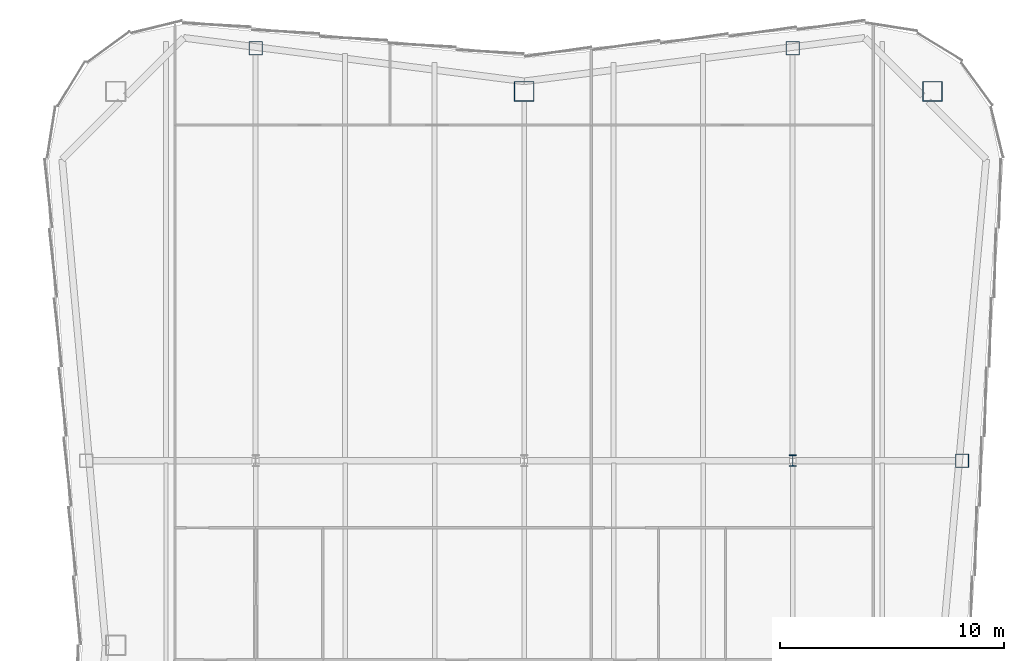
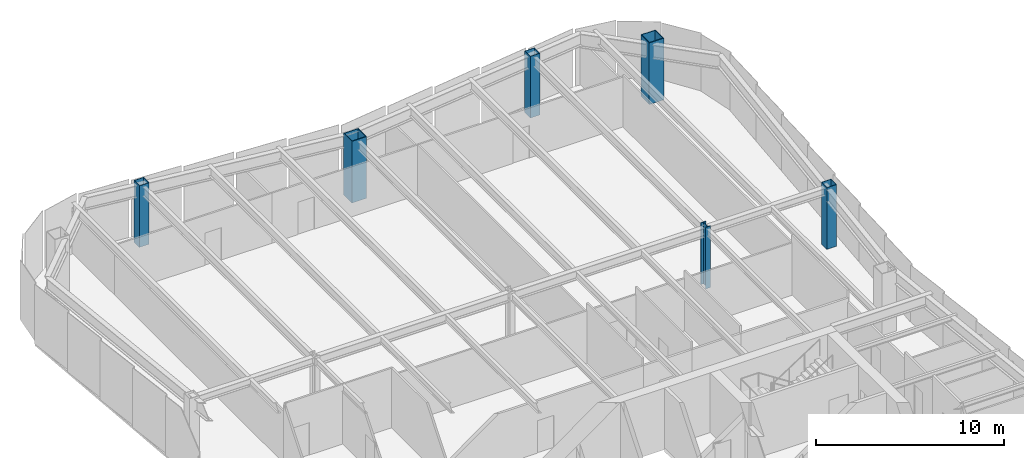
# One storey, part 2 of 10: 6 columns.
"""IFC4 building model written with IfcOpenShell, lengths in metres."""

from ifc_helpers import new_model, si_unit, direction, frame, origin, origin_2d, place, context, subcontext, project, spatial, hollow_rectangle, i_section, extrude, material, material_profile, profile_set, type_object, element, save


model = new_model("IFC4")

# Units and contexts
model_context = context("Model", 3, precision=1e-05, world=origin(), true_north=direction((0.0, 1.0)))
body_context = subcontext(model_context, "Body", "Model", "MODEL_VIEW")
ifc_project = project(units=[si_unit("LENGTHUNIT", "METRE"), si_unit("AREAUNIT", "SQUARE_METRE"), si_unit("VOLUMEUNIT", "CUBIC_METRE"), si_unit("PLANEANGLEUNIT", "RADIAN"), si_unit("MASSUNIT", "GRAM", prefix="KILO")], contexts=[model_context])

# Site, building, storey
site_placement = place(None, origin())
site = spatial("IfcSite", under=ifc_project, at=site_placement, CompositionType="ELEMENT")
building_placement = place(site_placement, origin())
building = spatial("IfcBuilding", under=site, at=building_placement, Name="Verdant Reach Tower", CompositionType="ELEMENT")
storey_placement = place(building_placement, frame((0.0, 0.0, 302.0)))
storey = spatial("IfcBuildingStorey", under=building, at=storey_placement, Name="L69", CompositionType="ELEMENT", Elevation=302.0)

# Columns
ifc_material = material(Name="Steel S460", Category="steel")
ifc_material_profile_1 = material_profile(ifc_material, i_section(OverallWidth=0.305908203125, OverallDepth=0.52392578125, WebThickness=0.012451171875, FlangeThickness=0.0400390625, FilletRadius=0.027099609375, at=origin_2d()), Name="HEM 500")
ifc_profile_set_1 = profile_set([ifc_material_profile_1], Name="Steel S460")
column_type_1 = type_object("IfcColumnType", Name="ST-COL-HEM500", PredefinedType="COLUMN", material=ifc_profile_set_1)
column_placement = place(storey_placement, frame((12.0, 49.5, 0.0), z_axis=(0.0, 0.0, 1.0), x_axis=(1.0, 0.0, 0.0)))
element("IfcColumn", 1, at=column_placement, inside=storey, type_object=column_type_1, Name="Interior column 3, L69", PredefinedType="COLUMN", context=body_context, shape_type="SweptSolid", body=[
    extrude(i_section(OverallWidth=0.305908203125, OverallDepth=0.52392578125, WebThickness=0.012451171875, FlangeThickness=0.0400390625, FilletRadius=0.027099609375, at=origin_2d()), origin(), (0.0, 0.0, 1.0), 4.0),
])
ifc_material_profile_2 = material_profile(ifc_material, hollow_rectangle(XDim=0.60009765625, YDim=0.60009765625, WallThickness=0.02490234375, at=origin_2d()), Name="WB 600x600x25")
ifc_profile_set_2 = profile_set([ifc_material_profile_2], Name="Steel S460")
column_type_2 = type_object("IfcColumnType", Name="ST-COL-WB600x600x25", PredefinedType="COLUMN", material=ifc_profile_set_2)
for number, where, z_axis, x_axis, name in (
    (2, (-12.0, 67.930419921875, 0.0), (0.0, 0.0, 1.0), (1.0, 0.0, 0.0), "Perimeter column north 1, L69"),
    (3, (12.0, 67.930419921875, 0.0), (0.0, 0.0, 1.0), (1.0, 0.0, 0.0), "Perimeter column north 2, L69"),
    (4, (19.569091796875, 49.5, 0.0), (0.0, 0.0, 1.0), (1.0, 0.0, 0.0), "Perimeter column east 2, L69"),
):
    element("IfcColumn", number, at=place(storey_placement, frame(where, z_axis=z_axis, x_axis=x_axis)), inside=storey, type_object=column_type_2, Name=name, PredefinedType="COLUMN", context=body_context, shape_type="SweptSolid", body=[
        extrude(hollow_rectangle(XDim=0.60009765625, YDim=0.60009765625, WallThickness=0.02490234375, at=origin_2d()), origin(), (0.0, 0.0, 1.0), 4.0),
    ])
ifc_material_profile_3 = material_profile(ifc_material, hollow_rectangle(XDim=0.89990234375, YDim=0.89990234375, WallThickness=0.0400390625, at=origin_2d()), Name="WB 900x900x40")
ifc_profile_set_3 = profile_set([ifc_material_profile_3], Name="Steel S460")
column_type_3 = type_object("IfcColumnType", Name="ST-COL-WB900x900x40", PredefinedType="COLUMN", material=ifc_profile_set_3)
for number, where, z_axis, x_axis, name in (
    (5, (0.0, 66.0, 0.0), (0.0, 0.0, 1.0), (1.0, 0.0, 0.0), "Mega column north, L69"),
    (6, (18.25, 66.0, 0.0), (0.0, 0.0, 1.0), (1.0, 0.0, 0.0), "Mega column north-east, L69"),
):
    element("IfcColumn", number, at=place(storey_placement, frame(where, z_axis=z_axis, x_axis=x_axis)), inside=storey, type_object=column_type_3, Name=name, PredefinedType="COLUMN", context=body_context, shape_type="SweptSolid", body=[
        extrude(hollow_rectangle(XDim=0.89990234375, YDim=0.89990234375, WallThickness=0.0400390625, at=origin_2d()), origin(), (0.0, 0.0, 1.0), 4.0),
    ])

save(model, "model.ifc")
